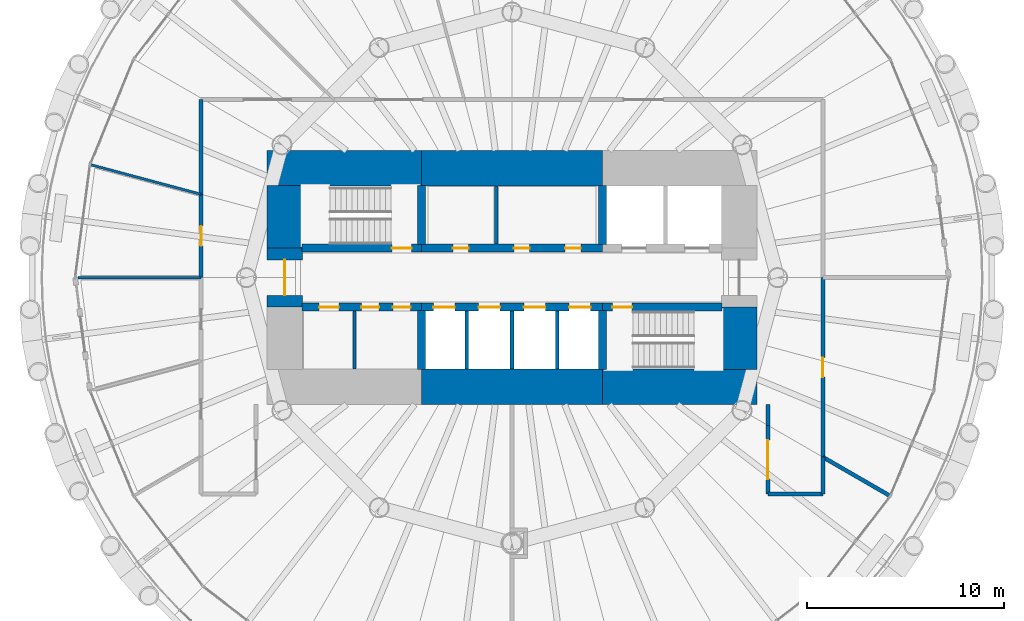
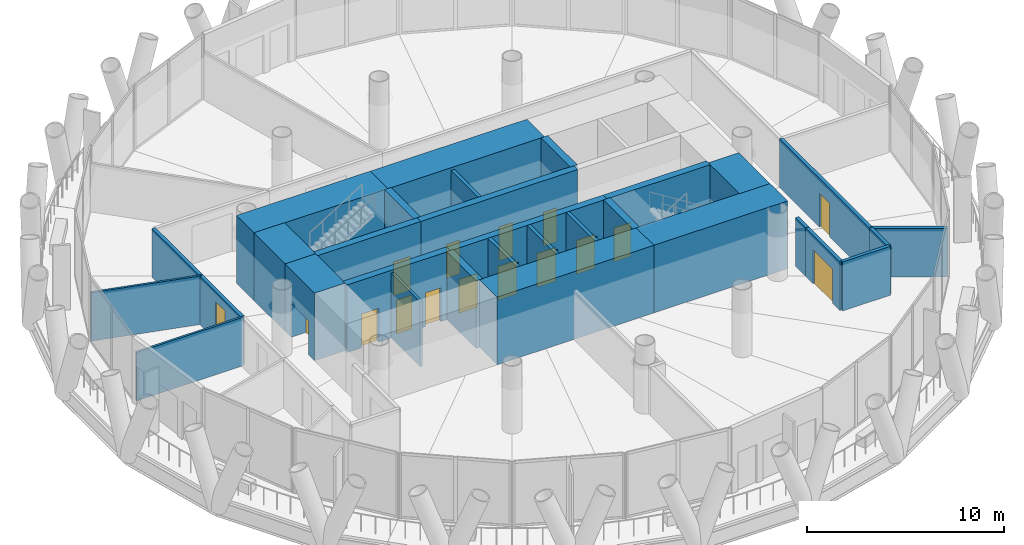
# One storey, part 9 of 14: 31 walls, 16 doors, 16 openings.
"""IFC4 building model written with IfcOpenShell, lengths in metres."""

import ifcopenshell
import ifcopenshell.guid

model = None  # the IFC model being written
_history = None  # IfcOwnerHistory: only IFC2X3 demands one
_inside = {}  # id of a spatial element -> (the spatial element, [elements in it])
_under = {}  # id of a project, library or spatial element -> (it, [spatial elements below it])
_declared = {}  # id of a project -> (the project, [libraries it declares])
_typed = {}  # id of a type object -> (the type object, [elements of that type])
_made_of = {}  # id of a material, layer set ... -> (it, [elements and type objects made of it])


def new_model(schema):
    """Start an empty IFC model of exactly this schema.

    Asked for "IFC4X3", IfcOpenShell would pick the latest addendum, in which some entities
    have other attributes; the version numbers below select the first issue.
    IFC2X3 requires an IfcOwnerHistory on every rooted entity: one is made here for all.
    """
    global model, _history
    if schema == "IFC4X3":
        model = ifcopenshell.file(schema_version=(4, 3, 0, 0))
    else:
        model = ifcopenshell.file(schema=schema)
    _inside.clear()
    _under.clear()
    _declared.clear()
    _typed.clear()
    _made_of.clear()
    _history = None
    if model.schema == "IFC2X3":
        org = make("IfcOrganization", Name="unknown")
        user = make(
            "IfcPersonAndOrganization",
            ThePerson=make("IfcPerson", FamilyName="unknown"),
            TheOrganization=org,
        )
        app = make(
            "IfcApplication",
            ApplicationDeveloper=org,
            Version="unknown",
            ApplicationFullName="unknown",
            ApplicationIdentifier="unknown",
        )
        _history = make(
            "IfcOwnerHistory",
            OwningUser=user,
            OwningApplication=app,
            ChangeAction="ADDED",
            CreationDate=0,
        )
    return model


def make(cls, **values):
    """One entity of the class cls with the attributes given. An attribute that is None is left unset."""
    return model.create_entity(
        cls, **{name: value for name, value in values.items() if value is not None}
    )


def rooted(cls, **values):
    """An entity with a GlobalId (a new one), such as an element, a storey or a relation."""
    return make(cls, GlobalId=ifcopenshell.guid.new(), OwnerHistory=_history, **values)


def si_unit(unit_type, name, prefix=None):
    """IfcSIUnit, for example si_unit("LENGTHUNIT", "METRE", prefix="MILLI")."""
    return make("IfcSIUnit", UnitType=unit_type, Prefix=prefix, Name=name)


def assignment(units):
    """IfcUnitAssignment: the units of a project."""
    return None if units is None else make("IfcUnitAssignment", Units=units)


def point(xyz):
    """IfcCartesianPoint."""
    return None if xyz is None else make("IfcCartesianPoint", Coordinates=xyz)


def direction(xyz):
    """IfcDirection."""
    return None if xyz is None else make("IfcDirection", DirectionRatios=xyz)


def frame(location, z_axis=None, x_axis=None):
    """IfcAxis2Placement3D, a coordinate frame: its origin and axes. An axis left out is left unset."""
    return make(
        "IfcAxis2Placement3D",
        Location=point(location),
        Axis=direction(z_axis),
        RefDirection=direction(x_axis),
    )


def frame_2d(location, x_axis=None):
    """IfcAxis2Placement2D, a coordinate frame in the plane: its origin and x axis."""
    return make(
        "IfcAxis2Placement2D", Location=point(location), RefDirection=direction(x_axis)
    )


def origin():
    """The frame at (0, 0, 0) with its axes left unset."""
    return frame((0.0, 0.0, 0.0))


def place(relative_to, where):
    """IfcLocalPlacement: puts the frame where relative to a parent placement (None: the world)."""
    return make(
        "IfcLocalPlacement", PlacementRelTo=relative_to, RelativePlacement=where
    )


def context(
    kind, dimensions, precision=None, world=None, true_north=None, identifier=None
):
    """IfcGeometricRepresentationContext, for example the 3D "Model" context."""
    return make(
        "IfcGeometricRepresentationContext",
        ContextIdentifier=identifier,
        ContextType=kind,
        CoordinateSpaceDimension=dimensions,
        Precision=precision,
        WorldCoordinateSystem=world,
        TrueNorth=true_north,
    )


def subcontext(parent, identifier, kind, view, scale=None):
    """IfcGeometricRepresentationSubContext, for example "Body" below "Model"."""
    return make(
        "IfcGeometricRepresentationSubContext",
        ContextIdentifier=identifier,
        ContextType=kind,
        ParentContext=parent,
        TargetScale=scale,
        TargetView=view,
    )


def project(units=None, contexts=None):
    """IfcProject with its units and contexts."""
    return rooted(
        "IfcProject",
        Name="project",
        RepresentationContexts=contexts,
        UnitsInContext=assignment(units),
    )


def spatial(cls, under=None, at=None, **own):
    """A site, building, storey or space (cls), placed at a placement, below another one or the project."""
    s = rooted(cls, ObjectPlacement=at, **own)
    if under is not None:
        _under.setdefault(under.id(), (under, []))[1].append(s)
    return s


def profile(cls, at=None, kind="AREA", **sizes):
    """A parametric profile (cls). Its sizes go by their IFC names, for example OverallWidth=200.0."""
    return make(cls, ProfileType=kind, Position=at, **sizes)


def rectangle(**sizes):
    """IfcRectangleProfileDef."""
    return profile("IfcRectangleProfileDef", **sizes)


def extrude(swept, where, along, depth):
    """IfcExtrudedAreaSolid: the profile swept, set in the frame where, extruded along a direction by depth."""
    return make(
        "IfcExtrudedAreaSolid",
        SweptArea=swept,
        Position=where,
        ExtrudedDirection=direction(along),
        Depth=depth,
    )


def shape(context_of_items, identifier, shape_type, items):
    """IfcShapeRepresentation: the items that make up one representation, for example the "Body"."""
    return make(
        "IfcShapeRepresentation",
        ContextOfItems=context_of_items,
        RepresentationIdentifier=identifier,
        RepresentationType=shape_type,
        Items=items,
    )


def material(Name=None, Category=None):
    """IfcMaterial."""
    return make("IfcMaterial", Name=Name, Category=Category)


def layer(
    of_material, thickness, ventilated=None, Name=None, Category=None, Priority=None
):
    """IfcMaterialLayer: one layer of a wall or slab, of a material (None: an air gap)."""
    return make(
        "IfcMaterialLayer",
        Material=of_material,
        LayerThickness=thickness,
        IsVentilated=ventilated,
        Name=Name,
        Category=Category,
        Priority=Priority,
    )


def layer_set(layers, Name=None):
    """IfcMaterialLayerSet."""
    return make("IfcMaterialLayerSet", MaterialLayers=layers, LayerSetName=Name)


def made_of(thing, what):
    """Note that an element or type object is made of a material, layer set ...; save() writes the relation."""
    if what is not None:
        _made_of.setdefault(what.id(), (what, []))[1].append(thing)
    return thing


def type_object(cls, material=None, **own):
    """A type object (cls), such as IfcWallType, which elements share."""
    return made_of(rooted(cls, **own), material)


def element(
    cls,
    number,
    at=None,
    inside=None,
    cuts=None,
    type_object=None,
    material=None,
    context=None,
    identifier="Body",
    shape_type=None,
    held_by="IfcProductDefinitionShape",
    body=None,
    shapes=None,
    **own,
):
    """One element of the class cls, such as IfcWall. Its Tag is "e" and its number.

    at: its placement. inside: the storey or other place that contains it. cuts: it is an
    opening in that element (IfcRelVoidsElement). A single representation is given by context,
    identifier, shape_type and body (its items); several are given by shapes. held_by: the class
    of the entity that holds the representations. save() writes the other relations.
    """
    e = rooted(cls, Tag="e%d" % number, ObjectPlacement=at, **own)
    if body is not None:
        shapes = [shape(context, identifier, shape_type, body)]
    if shapes is not None:
        e.Representation = make(held_by, Representations=shapes)
    if inside is not None:
        _inside.setdefault(inside.id(), (inside, []))[1].append(e)
    if cuts is not None:
        rooted(
            "IfcRelVoidsElement", RelatingBuildingElement=cuts, RelatedOpeningElement=e
        )
    if type_object is not None:
        _typed.setdefault(type_object.id(), (type_object, []))[1].append(e)
    return made_of(e, material)


def fill(opening, filler):
    """IfcRelFillsElement: the door or window that sits in an opening."""
    return rooted(
        "IfcRelFillsElement",
        RelatingOpeningElement=opening,
        RelatedBuildingElement=filler,
    )


def aggregate(whole, parts):
    """IfcRelAggregates: a whole, such as a stair, and the parts it consists of."""
    return rooted("IfcRelAggregates", RelatingObject=whole, RelatedObjects=parts)


def save(model, path):
    """Write the relations noted so far, then the file.

    IfcRelAggregates (storeys below a building ...), IfcRelContainedInSpatialStructure (elements
    in a storey), IfcRelDefinesByType, IfcRelAssociatesMaterial and IfcRelDeclares: one each for
    every whole, place, type object, material and project.
    """
    for whole, parts in _under.values():
        aggregate(whole, parts)
    for where, things in _inside.values():
        rooted(
            "IfcRelContainedInSpatialStructure",
            RelatedElements=things,
            RelatingStructure=where,
        )
    for kind, things in _typed.values():
        rooted("IfcRelDefinesByType", RelatedObjects=things, RelatingType=kind)
    for what, things in _made_of.values():
        rooted("IfcRelAssociatesMaterial", RelatedObjects=things, RelatingMaterial=what)
    for by, libraries in _declared.values():
        rooted("IfcRelDeclares", RelatingContext=by, RelatedDefinitions=libraries)
    model.write(path)


model = new_model("IFC4")

# Units and contexts
model_context = context("Model", 3, precision=1e-05, world=origin(), true_north=direction((0.0, 1.0)))
body_context = subcontext(model_context, "Body", "Model", "MODEL_VIEW")
ifc_project = project(units=[si_unit("LENGTHUNIT", "METRE"), si_unit("AREAUNIT", "SQUARE_METRE"), si_unit("VOLUMEUNIT", "CUBIC_METRE"), si_unit("PLANEANGLEUNIT", "RADIAN"), si_unit("MASSUNIT", "GRAM", prefix="KILO")], contexts=[model_context])

# Site, building, storey
site_placement = place(None, origin())
site = spatial("IfcSite", under=ifc_project, at=site_placement, CompositionType="ELEMENT")
building_placement = place(site_placement, origin())
building = spatial("IfcBuilding", under=site, at=building_placement, Name="Qaws Media Tower", CompositionType="ELEMENT")
storey_placement = place(building_placement, frame((0.0, 0.0, 168.800048828125)))
storey = spatial("IfcBuildingStorey", under=building, at=storey_placement, Name="L38", CompositionType="ELEMENT", Elevation=168.800048828125)

# Wall, opening, door
ifc_material_1 = material(Name="Concrete C60/75", Category="concrete")
ifc_layer_1 = layer(ifc_material_1, 0.39990234375)
ifc_layer_set_1 = layer_set([ifc_layer_1], Name="Core inner wall 400")
wall_type_1 = type_object("IfcWallType", Name="Core inner wall 400", PredefinedType="SHEAR", material=ifc_layer_set_1)
wall_1_placement = place(storey_placement, frame((49.330078125, 51.5, 0.0), z_axis=(0.0, 0.0, 1.0), x_axis=(1.0, 0.0, 0.0)))
wall_1 = element("IfcWall", 1, at=wall_1_placement, inside=storey, type_object=wall_type_1, Name="W321 SW4 core wall SPNW L38", PredefinedType="SHEAR", context=body_context, shape_type="SweptSolid", body=[
    extrude(rectangle(XDim=6.06982421875, YDim=0.39990234375, at=frame_2d((3.034912109375, 0.0))), origin(), (0.0, 0.0, 1.0), 4.199951171875),
])
opening_1_placement = place(wall_1_placement, frame((4.570068359375, 0.0, 0.0)))
opening_1 = element("IfcOpeningElement", 2, at=opening_1_placement, cuts=wall_1, Name="Opening D1", PredefinedType="OPENING", context=body_context, shape_type="SweptSolid", body=[
    extrude(rectangle(XDim=1.0, YDim=2.10009765625, at=frame_2d((0.5, 1.050048828125))), frame((0.0, 0.2099609375, 0.0), z_axis=(0.0, -1.0, 0.0), x_axis=(1.0, 0.0, 0.0)), (0.0, 0.0, 1.0), 0.419921875),
])
ifc_material_2 = material(Name="Steel, fire rated", Category="steel")
door_type_1 = type_object("IfcDoorType", Name="Stair door 1000 FD120", OperationType="SINGLE_SWING_LEFT", PredefinedType="DOOR", material=ifc_material_2)
door_1_placement = place(opening_1_placement, origin())
door_1 = element("IfcDoor", 3, at=door_1_placement, inside=storey, type_object=door_type_1, Name="D1 stair S1 door L38 in wall W321", OperationType="SINGLE_SWING_LEFT", OverallHeight=2.10009765625, OverallWidth=1.0, PredefinedType="DOOR", context=body_context, shape_type="SweptSolid", body=[
    extrude(rectangle(XDim=1.0, YDim=2.10009765625, at=frame_2d((0.5, 1.050048828125))), frame((0.0, 0.02490234375, 0.0), z_axis=(0.0, -1.0, 0.0), x_axis=(1.0, 0.0, 0.0)), (0.0, 0.0, 1.0), 0.050048828125),
])
fill(opening_1, door_1)

# Wall, openings, doors
wall_2_placement = place(storey_placement, frame((55.39990234375, 51.5, 0.0), z_axis=(0.0, 0.0, 1.0), x_axis=(1.0, 0.0, 0.0)))
wall_2 = element("IfcWall", 4, at=wall_2_placement, inside=storey, type_object=wall_type_1, Name="W314 SW4 core wall SPN L38", PredefinedType="SHEAR", context=body_context, shape_type="SweptSolid", body=[
    extrude(rectangle(XDim=9.2001953125, YDim=0.39990234375, at=frame_2d((4.60009765625, 0.0))), origin(), (0.0, 0.0, 1.0), 4.199951171875),
])
opening_2_placement = place(wall_2_placement, frame((1.60009765625, 0.0, 0.0)))
opening_2 = element("IfcOpeningElement", 5, at=opening_2_placement, cuts=wall_2, Name="Opening D23", PredefinedType="OPENING", context=body_context, shape_type="SweptSolid", body=[
    extrude(rectangle(XDim=0.800048828125, YDim=2.10009765625, at=frame_2d((0.39990234375, 1.050048828125))), frame((0.0, 0.2099609375, 0.0), z_axis=(0.0, -1.0, 0.0), x_axis=(1.0, 0.0, 0.0)), (0.0, 0.0, 1.0), 0.419921875),
])
opening_3_placement = place(wall_2_placement, frame((4.699951171875, 0.0, 0.0)))
opening_3 = element("IfcOpeningElement", 6, at=opening_3_placement, cuts=wall_2, Name="Opening D23", PredefinedType="OPENING", context=body_context, shape_type="SweptSolid", body=[
    extrude(rectangle(XDim=0.800048828125, YDim=2.10009765625, at=frame_2d((0.39990234375, 1.050048828125))), frame((0.0, 0.2099609375, 0.0), z_axis=(0.0, -1.0, 0.0), x_axis=(1.0, 0.0, 0.0)), (0.0, 0.0, 1.0), 0.419921875),
])
opening_4_placement = place(wall_2_placement, frame((7.300048828125, 0.0, 0.0)))
opening_4 = element("IfcOpeningElement", 7, at=opening_4_placement, cuts=wall_2, Name="Opening D23", PredefinedType="OPENING", context=body_context, shape_type="SweptSolid", body=[
    extrude(rectangle(XDim=0.800048828125, YDim=2.10009765625, at=frame_2d((0.39990234375, 1.050048828125))), frame((0.0, 0.2099609375, 0.0), z_axis=(0.0, -1.0, 0.0), x_axis=(1.0, 0.0, 0.0)), (0.0, 0.0, 1.0), 0.419921875),
])
ifc_material_3 = material(Name="Steel, fire rated", Category="steel")
door_type_2 = type_object("IfcDoorType", Name="Core room door 800x2100", OperationType="SINGLE_SWING_LEFT", PredefinedType="DOOR", material=ifc_material_3)
door_2_placement = place(opening_2_placement, origin())
door_2 = element("IfcDoor", 8, at=door_2_placement, inside=storey, type_object=door_type_2, Name="D23 Ladies toilets door L38 in wall W314", OperationType="SINGLE_SWING_LEFT", OverallHeight=2.10009765625, OverallWidth=0.800048828125, PredefinedType="DOOR", context=body_context, shape_type="SweptSolid", body=[
    extrude(rectangle(XDim=0.800048828125, YDim=2.10009765625, at=frame_2d((0.39990234375, 1.050048828125))), frame((0.0, 0.02490234375, 0.0), z_axis=(0.0, -1.0, 0.0), x_axis=(1.0, 0.0, 0.0)), (0.0, 0.0, 1.0), 0.050048828125),
])
fill(opening_2, door_2)
door_3_placement = place(opening_3_placement, origin())
door_3 = element("IfcDoor", 9, at=door_3_placement, inside=storey, type_object=door_type_2, Name="D23 Gents toilets door L38 2 in wall W314", OperationType="SINGLE_SWING_LEFT", OverallHeight=2.10009765625, OverallWidth=0.800048828125, PredefinedType="DOOR", context=body_context, shape_type="SweptSolid", body=[
    extrude(rectangle(XDim=0.800048828125, YDim=2.10009765625, at=frame_2d((0.39990234375, 1.050048828125))), frame((0.0, 0.02490234375, 0.0), z_axis=(0.0, -1.0, 0.0), x_axis=(1.0, 0.0, 0.0)), (0.0, 0.0, 1.0), 0.050048828125),
])
fill(opening_3, door_3)
door_4_placement = place(opening_4_placement, origin())
door_4 = element("IfcDoor", 10, at=door_4_placement, inside=storey, type_object=door_type_2, Name="D23 Gents toilets door L38 3 in wall W314", OperationType="SINGLE_SWING_LEFT", OverallHeight=2.10009765625, OverallWidth=0.800048828125, PredefinedType="DOOR", context=body_context, shape_type="SweptSolid", body=[
    extrude(rectangle(XDim=0.800048828125, YDim=2.10009765625, at=frame_2d((0.39990234375, 1.050048828125))), frame((0.0, 0.02490234375, 0.0), z_axis=(0.0, -1.0, 0.0), x_axis=(1.0, 0.0, 0.0)), (0.0, 0.0, 1.0), 0.050048828125),
])
fill(opening_4, door_4)

wall_3_placement = place(storey_placement, frame((49.330078125, 48.5, 0.0), z_axis=(0.0, 0.0, 1.0), x_axis=(1.0, 0.0, 0.0)))
wall_3 = element("IfcWall", 11, at=wall_3_placement, inside=storey, type_object=wall_type_1, Name="W320 SW4 core wall SPSW L38", PredefinedType="SHEAR", context=body_context, shape_type="SweptSolid", body=[
    extrude(rectangle(XDim=6.06982421875, YDim=0.39990234375, at=frame_2d((3.034912109375, 0.0))), origin(), (0.0, 0.0, 1.0), 4.199951171875),
])
opening_5_placement = place(wall_3_placement, frame((0.8701171875, 0.0, 0.0)))
opening_5 = element("IfcOpeningElement", 12, at=opening_5_placement, cuts=wall_3, Name="Opening D4", PredefinedType="OPENING", context=body_context, shape_type="SweptSolid", body=[
    extrude(rectangle(XDim=1.0, YDim=2.10009765625, at=frame_2d((0.5, 1.050048828125))), frame((0.0, 0.2099609375, 0.0), z_axis=(0.0, -1.0, 0.0), x_axis=(1.0, 0.0, 0.0)), (0.0, 0.0, 1.0), 0.419921875),
])
opening_6_placement = place(wall_3_placement, frame((3.02001953125, 0.0, 0.0)))
opening_6 = element("IfcOpeningElement", 13, at=opening_6_placement, cuts=wall_3, Name="Opening D3", PredefinedType="OPENING", context=body_context, shape_type="SweptSolid", body=[
    extrude(rectangle(XDim=0.89990234375, YDim=2.10009765625, at=frame_2d((0.449951171875, 1.050048828125))), frame((0.0, 0.2099609375, 0.0), z_axis=(0.0, -1.0, 0.0), x_axis=(1.0, 0.0, 0.0)), (0.0, 0.0, 1.0), 0.419921875),
])
opening_7_placement = place(wall_3_placement, frame((4.6201171875, 0.0, 0.0)))
opening_7 = element("IfcOpeningElement", 14, at=opening_7_placement, cuts=wall_3, Name="Opening D3", PredefinedType="OPENING", context=body_context, shape_type="SweptSolid", body=[
    extrude(rectangle(XDim=0.89990234375, YDim=2.10009765625, at=frame_2d((0.449951171875, 1.050048828125))), frame((0.0, 0.2099609375, 0.0), z_axis=(0.0, -1.0, 0.0), x_axis=(1.0, 0.0, 0.0)), (0.0, 0.0, 1.0), 0.419921875),
])
ifc_material_4 = material(Name="Timber veneered", Category="wood")
door_type_3 = type_object("IfcDoorType", Name="Accessible WC door 1000", OperationType="SLIDING_TO_LEFT", PredefinedType="DOOR", material=ifc_material_4)
door_5_placement = place(opening_5_placement, origin())
door_5 = element("IfcDoor", 15, at=door_5_placement, inside=storey, type_object=door_type_3, Name="D4 toilet door 1 L38 in wall W320", OperationType="SLIDING_TO_LEFT", OverallHeight=2.10009765625, OverallWidth=1.0, PredefinedType="DOOR", context=body_context, shape_type="SweptSolid", body=[
    extrude(rectangle(XDim=1.0, YDim=2.10009765625, at=frame_2d((0.5, 1.050048828125))), frame((0.0, 0.02490234375, 0.0), z_axis=(0.0, -1.0, 0.0), x_axis=(1.0, 0.0, 0.0)), (0.0, 0.0, 1.0), 0.050048828125),
])
fill(opening_5, door_5)
ifc_material_5 = material(Name="Timber veneered", Category="wood")
door_type_4 = type_object("IfcDoorType", Name="Toilet door 900", OperationType="SINGLE_SWING_RIGHT", PredefinedType="DOOR", material=ifc_material_5)
door_6_placement = place(opening_6_placement, origin())
door_6 = element("IfcDoor", 16, at=door_6_placement, inside=storey, type_object=door_type_4, Name="D3 toilet door 2 L38 in wall W320", OperationType="SINGLE_SWING_RIGHT", OverallHeight=2.10009765625, OverallWidth=0.89990234375, PredefinedType="DOOR", context=body_context, shape_type="SweptSolid", body=[
    extrude(rectangle(XDim=0.89990234375, YDim=2.10009765625, at=frame_2d((0.449951171875, 1.050048828125))), frame((0.0, 0.02490234375, 0.0), z_axis=(0.0, -1.0, 0.0), x_axis=(1.0, 0.0, 0.0)), (0.0, 0.0, 1.0), 0.050048828125),
])
fill(opening_6, door_6)
door_7_placement = place(opening_7_placement, origin())
door_7 = element("IfcDoor", 17, at=door_7_placement, inside=storey, type_object=door_type_4, Name="D3 toilet door 3 L38 in wall W320", OperationType="SINGLE_SWING_RIGHT", OverallHeight=2.10009765625, OverallWidth=0.89990234375, PredefinedType="DOOR", context=body_context, shape_type="SweptSolid", body=[
    extrude(rectangle(XDim=0.89990234375, YDim=2.10009765625, at=frame_2d((0.449951171875, 1.050048828125))), frame((0.0, 0.02490234375, 0.0), z_axis=(0.0, -1.0, 0.0), x_axis=(1.0, 0.0, 0.0)), (0.0, 0.0, 1.0), 0.050048828125),
])
fill(opening_7, door_7)

wall_4_placement = place(storey_placement, frame((55.39990234375, 48.5, 0.0), z_axis=(0.0, 0.0, 1.0), x_axis=(1.0, 0.0, 0.0)))
wall_4 = element("IfcWall", 18, at=wall_4_placement, inside=storey, type_object=wall_type_1, Name="W313 SW4 core wall SPS L38", PredefinedType="SHEAR", context=body_context, shape_type="SweptSolid", body=[
    extrude(rectangle(XDim=9.2001953125, YDim=0.39990234375, at=frame_2d((4.60009765625, 0.0))), origin(), (0.0, 0.0, 1.0), 4.199951171875),
])
opening_8_placement = place(wall_4_placement, frame((0.60009765625, 0.0, 0.0)))
opening_8 = element("IfcOpeningElement", 19, at=opening_8_placement, cuts=wall_4, Name="Opening LD", PredefinedType="OPENING", context=body_context, shape_type="SweptSolid", body=[
    extrude(rectangle(XDim=1.10009765625, YDim=2.10009765625, at=frame_2d((0.550048828125, 1.050048828125))), frame((0.0, 0.2099609375, 0.0), z_axis=(0.0, -1.0, 0.0), x_axis=(1.0, 0.0, 0.0)), (0.0, 0.0, 1.0), 0.419921875),
])
opening_9_placement = place(wall_4_placement, frame((2.89990234375, 0.0, 0.0)))
opening_9 = element("IfcOpeningElement", 20, at=opening_9_placement, cuts=wall_4, Name="Opening LD", PredefinedType="OPENING", context=body_context, shape_type="SweptSolid", body=[
    extrude(rectangle(XDim=1.10009765625, YDim=2.10009765625, at=frame_2d((0.550048828125, 1.050048828125))), frame((0.0, 0.2099609375, 0.0), z_axis=(0.0, -1.0, 0.0), x_axis=(1.0, 0.0, 0.0)), (0.0, 0.0, 1.0), 0.419921875),
])
opening_10_placement = place(wall_4_placement, frame((5.199951171875, 0.0, 0.0)))
opening_10 = element("IfcOpeningElement", 21, at=opening_10_placement, cuts=wall_4, Name="Opening LD", PredefinedType="OPENING", context=body_context, shape_type="SweptSolid", body=[
    extrude(rectangle(XDim=1.10009765625, YDim=2.10009765625, at=frame_2d((0.550048828125, 1.050048828125))), frame((0.0, 0.2099609375, 0.0), z_axis=(0.0, -1.0, 0.0), x_axis=(1.0, 0.0, 0.0)), (0.0, 0.0, 1.0), 0.419921875),
])
opening_11_placement = place(wall_4_placement, frame((7.5, 0.0, 0.0)))
opening_11 = element("IfcOpeningElement", 22, at=opening_11_placement, cuts=wall_4, Name="Opening LD", PredefinedType="OPENING", context=body_context, shape_type="SweptSolid", body=[
    extrude(rectangle(XDim=1.10009765625, YDim=2.10009765625, at=frame_2d((0.550048828125, 1.050048828125))), frame((0.0, 0.2099609375, 0.0), z_axis=(0.0, -1.0, 0.0), x_axis=(1.0, 0.0, 0.0)), (0.0, 0.0, 1.0), 0.419921875),
])
ifc_material_6 = material(Name="Steel, fire rated", Category="steel")
door_type_5 = type_object("IfcDoorType", Name="Lift landing door 1100", OperationType="SLIDING_TO_LEFT", PredefinedType="DOOR", material=ifc_material_6)
door_8_placement = place(opening_8_placement, origin())
door_8 = element("IfcDoor", 23, at=door_8_placement, inside=storey, type_object=door_type_5, Name="P5 landing door L38 in wall W313", OperationType="SLIDING_TO_LEFT", OverallHeight=2.10009765625, OverallWidth=1.10009765625, PredefinedType="DOOR", context=body_context, shape_type="SweptSolid", body=[
    extrude(rectangle(XDim=1.10009765625, YDim=2.10009765625, at=frame_2d((0.550048828125, 1.050048828125))), frame((0.0, 0.02490234375, 0.0), z_axis=(0.0, -1.0, 0.0), x_axis=(1.0, 0.0, 0.0)), (0.0, 0.0, 1.0), 0.050048828125),
])
fill(opening_8, door_8)
door_9_placement = place(opening_9_placement, origin())
door_9 = element("IfcDoor", 24, at=door_9_placement, inside=storey, type_object=door_type_5, Name="P6 landing door L38 in wall W313", OperationType="SLIDING_TO_LEFT", OverallHeight=2.10009765625, OverallWidth=1.10009765625, PredefinedType="DOOR", context=body_context, shape_type="SweptSolid", body=[
    extrude(rectangle(XDim=1.10009765625, YDim=2.10009765625, at=frame_2d((0.550048828125, 1.050048828125))), frame((0.0, 0.02490234375, 0.0), z_axis=(0.0, -1.0, 0.0), x_axis=(1.0, 0.0, 0.0)), (0.0, 0.0, 1.0), 0.050048828125),
])
fill(opening_9, door_9)
door_10_placement = place(opening_10_placement, origin())
door_10 = element("IfcDoor", 25, at=door_10_placement, inside=storey, type_object=door_type_5, Name="P7 landing door L38 in wall W313", OperationType="SLIDING_TO_LEFT", OverallHeight=2.10009765625, OverallWidth=1.10009765625, PredefinedType="DOOR", context=body_context, shape_type="SweptSolid", body=[
    extrude(rectangle(XDim=1.10009765625, YDim=2.10009765625, at=frame_2d((0.550048828125, 1.050048828125))), frame((0.0, 0.02490234375, 0.0), z_axis=(0.0, -1.0, 0.0), x_axis=(1.0, 0.0, 0.0)), (0.0, 0.0, 1.0), 0.050048828125),
])
fill(opening_10, door_10)
door_11_placement = place(opening_11_placement, origin())
door_11 = element("IfcDoor", 26, at=door_11_placement, inside=storey, type_object=door_type_5, Name="P8 landing door L38 in wall W313", OperationType="SLIDING_TO_LEFT", OverallHeight=2.10009765625, OverallWidth=1.10009765625, PredefinedType="DOOR", context=body_context, shape_type="SweptSolid", body=[
    extrude(rectangle(XDim=1.10009765625, YDim=2.10009765625, at=frame_2d((0.550048828125, 1.050048828125))), frame((0.0, 0.02490234375, 0.0), z_axis=(0.0, -1.0, 0.0), x_axis=(1.0, 0.0, 0.0)), (0.0, 0.0, 1.0), 0.050048828125),
])
fill(opening_11, door_11)

# Wall, opening, door
wall_5_placement = place(storey_placement, frame((64.60009765625, 48.5, 0.0), z_axis=(0.0, 0.0, 1.0), x_axis=(1.0, 0.0, 0.0)))
wall_5 = element("IfcWall", 27, at=wall_5_placement, inside=storey, type_object=wall_type_1, Name="W325 SW4 core wall SPSE L38", PredefinedType="SHEAR", context=body_context, shape_type="SweptSolid", body=[
    extrude(rectangle(XDim=6.06982421875, YDim=0.39990234375, at=frame_2d((3.034912109375, 0.0))), origin(), (0.0, 0.0, 1.0), 4.199951171875),
])
opening_12_placement = place(wall_5_placement, frame((0.5, 0.0, 0.0)))
opening_12 = element("IfcOpeningElement", 28, at=opening_12_placement, cuts=wall_5, Name="Opening D1", PredefinedType="OPENING", context=body_context, shape_type="SweptSolid", body=[
    extrude(rectangle(XDim=1.0, YDim=2.10009765625, at=frame_2d((0.5, 1.050048828125))), frame((0.0, 0.2099609375, 0.0), z_axis=(0.0, -1.0, 0.0), x_axis=(1.0, 0.0, 0.0)), (0.0, 0.0, 1.0), 0.419921875),
])
door_12_placement = place(opening_12_placement, origin())
door_12 = element("IfcDoor", 29, at=door_12_placement, inside=storey, type_object=door_type_1, Name="D1 stair S2 door L38 in wall W325", OperationType="SINGLE_SWING_LEFT", OverallHeight=2.10009765625, OverallWidth=1.0, PredefinedType="DOOR", context=body_context, shape_type="SweptSolid", body=[
    extrude(rectangle(XDim=1.0, YDim=2.10009765625, at=frame_2d((0.5, 1.050048828125))), frame((0.0, 0.02490234375, 0.0), z_axis=(0.0, -1.0, 0.0), x_axis=(1.0, 0.0, 0.0)), (0.0, 0.0, 1.0), 0.050048828125),
])
fill(opening_12, door_12)

# Walls
for number, where, z_axis, x_axis, name in (
    (30, (55.39990234375, 51.679931640625, 0.0), (0.0, 0.0, 1.0), (0.0, 1.0, 0.0), "W323 SW4 core wall XNW L38"),
    (31, (64.60009765625, 51.679931640625, 0.0), (0.0, 0.0, 1.0), (0.0, 1.0, 0.0), "W327 SW4 core wall XNE L38"),
    (32, (55.39990234375, 48.320068359375, 0.0), (0.0, 0.0, 1.0), (0.0, -1.0, 0.0), "W322 SW4 core wall XSW L38"),
    (33, (64.60009765625, 48.320068359375, 0.0), (0.0, 0.0, 1.0), (0.0, -1.0, 0.0), "W324 SW4 core wall XSE L38"),
):
    element("IfcWall", number, at=place(storey_placement, frame(where, z_axis=z_axis, x_axis=x_axis)), inside=storey, type_object=wall_type_1, Name=name, PredefinedType="SHEAR", context=body_context, shape_type="SweptSolid", body=[
        extrude(rectangle(XDim=2.989990234375, YDim=0.39990234375, at=frame_2d((1.4951171875, 0.0))), origin(), (0.0, 0.0, 1.0), 4.199951171875),
    ])
ifc_material_7 = material(Name="Concrete C60/75", Category="concrete")
ifc_layer_2 = layer(ifc_material_7, 1.800048828125)
ifc_layer_set_2 = layer_set([ifc_layer_2], Name="Core wall 1800")
wall_type_2 = type_object("IfcWallType", Name="Core wall 1800", PredefinedType="SHEAR", material=ifc_layer_set_2)
wall_6_placement = place(storey_placement, frame((47.550048828125, 55.550048828125, 0.0), z_axis=(0.0, 0.0, 1.0), x_axis=(1.0, 0.0, 0.0)))
element("IfcWall", 34, at=wall_6_placement, inside=storey, type_object=wall_type_2, Name="W417 SW11 core wall NW L38", PredefinedType="SHEAR", context=body_context, shape_type="SweptSolid", body=[
    extrude(rectangle(XDim=7.849853515625, YDim=1.800048828125, at=frame_2d((3.9248046875, 0.0))), origin(), (0.0, 0.0, 1.0), 4.199951171875),
])
for number, where, z_axis, x_axis, name in (
    (35, (55.39990234375, 55.550048828125, 0.0), (0.0, 0.0, 1.0), (1.0, 0.0, 0.0), "W421 SW11 core wall N L38"),
    (36, (55.39990234375, 44.449951171875, 0.0), (0.0, 0.0, 1.0), (1.0, 0.0, 0.0), "W420 SW11 core wall S L38"),
):
    element("IfcWall", number, at=place(storey_placement, frame(where, z_axis=z_axis, x_axis=x_axis)), inside=storey, type_object=wall_type_2, Name=name, PredefinedType="SHEAR", context=body_context, shape_type="SweptSolid", body=[
        extrude(rectangle(XDim=9.2001953125, YDim=1.800048828125, at=frame_2d((4.60009765625, 0.0))), origin(), (0.0, 0.0, 1.0), 4.199951171875),
    ])
wall_7_placement = place(storey_placement, frame((64.60009765625, 44.449951171875, 0.0), z_axis=(0.0, 0.0, 1.0), x_axis=(1.0, 0.0, 0.0)))
element("IfcWall", 37, at=wall_7_placement, inside=storey, type_object=wall_type_2, Name="W422 SW11 core wall SE L38", PredefinedType="SHEAR", context=body_context, shape_type="SweptSolid", body=[
    extrude(rectangle(XDim=7.849853515625, YDim=1.800048828125, at=frame_2d((3.9248046875, 0.0))), origin(), (0.0, 0.0, 1.0), 4.199951171875),
])
wall_8_placement = place(storey_placement, frame((71.550048828125, 45.330078125, 0.0), z_axis=(0.0, 0.0, 1.0), x_axis=(0.0, 1.0, 0.0)))
element("IfcWall", 38, at=wall_8_placement, inside=storey, type_object=wall_type_2, Name="W424 SW11 core wall ES L38", PredefinedType="SHEAR", context=body_context, shape_type="SweptSolid", body=[
    extrude(rectangle(XDim=3.169921875, YDim=1.800048828125, at=frame_2d((1.5849609375, 0.0))), origin(), (0.0, 0.0, 1.0), 4.199951171875),
])

# Wall, opening, door
wall_9_placement = place(storey_placement, frame((48.449951171875, 48.5, 0.0), z_axis=(0.0, 0.0, 1.0), x_axis=(0.0, 1.0, 0.0)))
wall_9 = element("IfcWall", 39, at=wall_9_placement, inside=storey, type_object=wall_type_2, Name="W426 SW11 core wall W L38", PredefinedType="SHEAR", context=body_context, shape_type="SweptSolid", body=[
    extrude(rectangle(XDim=3.0, YDim=1.800048828125, at=frame_2d((1.5, 0.0))), origin(), (0.0, 0.0, 1.0), 4.199951171875),
])
opening_13_placement = place(wall_9_placement, frame((0.60009765625, 0.0, 0.0)))
opening_13 = element("IfcOpeningElement", 40, at=opening_13_placement, cuts=wall_9, Name="Opening D2", PredefinedType="OPENING", context=body_context, shape_type="SweptSolid", body=[
    extrude(rectangle(XDim=1.800048828125, YDim=2.10009765625, at=frame_2d((0.89990234375, 1.050048828125))), frame((0.0, 0.909912109375, 0.0), z_axis=(0.0, -1.0, 0.0), x_axis=(1.0, 0.0, 0.0)), (0.0, 0.0, 1.0), 1.820068359375),
])
ifc_material_8 = material(Name="Steel and glass, fire rated", Category="steel")
door_type_6 = type_object("IfcDoorType", Name="Lobby door pair 1800 FD60", OperationType="DOUBLE_DOOR_DOUBLE_SWING", PredefinedType="DOOR", material=ifc_material_8)
door_13_placement = place(opening_13_placement, origin())
door_13 = element("IfcDoor", 41, at=door_13_placement, inside=storey, type_object=door_type_6, Name="D2 core lobby door W L38 in wall W426", OperationType="DOUBLE_DOOR_DOUBLE_SWING", OverallHeight=2.10009765625, OverallWidth=1.800048828125, PredefinedType="DOOR", context=body_context, shape_type="SweptSolid", body=[
    extrude(rectangle(XDim=1.800048828125, YDim=2.10009765625, at=frame_2d((0.89990234375, 1.050048828125))), frame((0.0, 0.02490234375, 0.0), z_axis=(0.0, -1.0, 0.0), x_axis=(1.0, 0.0, 0.0)), (0.0, 0.0, 1.0), 0.050048828125),
])
fill(opening_13, door_13)

# Walls
wall_10_placement = place(storey_placement, frame((48.449951171875, 51.5, 0.0), z_axis=(0.0, 0.0, 1.0), x_axis=(0.0, 1.0, 0.0)))
element("IfcWall", 42, at=wall_10_placement, inside=storey, type_object=wall_type_2, Name="W419 SW11 core wall WN L38", PredefinedType="SHEAR", context=body_context, shape_type="SweptSolid", body=[
    extrude(rectangle(XDim=3.169921875, YDim=1.800048828125, at=frame_2d((1.5849609375, 0.0))), origin(), (0.0, 0.0, 1.0), 4.199951171875),
])
ifc_material_9 = material(Name="Two layers gypsum board each side on 75 studs, insulated", Category="gypsum")
ifc_layer_3 = layer(ifc_material_9, 0.125)
ifc_layer_set_3 = layer_set([ifc_layer_3], Name="Meeting room partition 125 Rw 48")
wall_type_3 = type_object("IfcWallType", Name="Meeting room partition 125 Rw 48", PredefinedType="PARTITIONING", material=ifc_layer_set_3)
wall_11_placement = place(storey_placement, frame((44.197509765625, 54.234375, 0.0), z_axis=(0.0, 0.0, 1.0), x_axis=(-0.965932457036, 0.258794297549, 0.0)))
element("IfcWall", 43, at=wall_11_placement, inside=storey, type_object=wall_type_3, Name="W579 IW5 partition L38", PredefinedType="PARTITIONING", context=body_context, shape_type="SweptSolid", body=[
    extrude(rectangle(XDim=5.7998046875, YDim=0.125, at=frame_2d((2.89990234375, 0.0))), origin(), (0.0, 0.0, 1.0), 3.011962890625),
])
wall_12_placement = place(storey_placement, frame((44.199951171875, 50.0, 0.0), z_axis=(0.0, 0.0, 1.0), x_axis=(-1.0, 0.0, 0.0)))
element("IfcWall", 44, at=wall_12_placement, inside=storey, type_object=wall_type_3, Name="W580 IW5 partition L38", PredefinedType="PARTITIONING", context=body_context, shape_type="SweptSolid", body=[
    extrude(rectangle(XDim=6.260009765625, YDim=0.125, at=frame_2d((3.1298828125, 0.0))), origin(), (0.0, 0.0, 1.0), 3.011962890625),
])

# Wall, opening, door
ifc_material_10 = material(Name="Gypsum board on galvanised metal studs, acoustic double stud, deflection head", Category="gypsum")
ifc_layer_4 = layer(ifc_material_10, 0.199951171875)
ifc_layer_set_4 = layer_set([ifc_layer_4], Name="Room partition 200")
wall_type_4 = type_object("IfcWallType", Name="Room partition 200", PredefinedType="PARTITIONING", material=ifc_layer_set_4)
wall_13_placement = place(storey_placement, frame((75.800048828125, 50.0, 0.0), z_axis=(0.0, 0.0, 1.0), x_axis=(0.0, -1.0, 0.0)))
wall_13 = element("IfcWall", 45, at=wall_13_placement, inside=storey, type_object=wall_type_4, Name="W1375 IW3 partition L38", PredefinedType="PARTITIONING", context=body_context, shape_type="SweptSolid", body=[
    extrude(rectangle(XDim=9.1220703125, YDim=0.199951171875, at=frame_2d((4.56103515625, 0.0))), origin(), (0.0, 0.0, 1.0), 3.011962890625),
])
opening_14_placement = place(wall_13_placement, frame((4.06103515625, 0.0, 0.0)))
opening_14 = element("IfcOpeningElement", 46, at=opening_14_placement, cuts=wall_13, Name="Opening D5", PredefinedType="OPENING", context=body_context, shape_type="SweptSolid", body=[
    extrude(rectangle(XDim=1.0, YDim=2.10009765625, at=frame_2d((0.5, 1.050048828125))), frame((0.0, 0.10986328125, 0.0), z_axis=(0.0, -1.0, 0.0), x_axis=(1.0, 0.0, 0.0)), (0.0, 0.0, 1.0), 0.219970703125),
])
ifc_material_11 = material(Name="Timber veneered, acoustic seal", Category="wood")
door_type_7 = type_object("IfcDoorType", Name="Room door 1000", OperationType="SINGLE_SWING_LEFT", PredefinedType="DOOR", material=ifc_material_11)
door_14_placement = place(opening_14_placement, origin())
door_14 = element("IfcDoor", 47, at=door_14_placement, inside=storey, type_object=door_type_7, Name="D5 HR office door L38 in wall W1375", OperationType="SINGLE_SWING_LEFT", OverallHeight=2.10009765625, OverallWidth=1.0, PredefinedType="DOOR", context=body_context, shape_type="SweptSolid", body=[
    extrude(rectangle(XDim=1.0, YDim=2.10009765625, at=frame_2d((0.5, 1.050048828125))), frame((0.0, 0.02490234375, 0.0), z_axis=(0.0, -1.0, 0.0), x_axis=(1.0, 0.0, 0.0)), (0.0, 0.0, 1.0), 0.050048828125),
])
fill(opening_14, door_14)

# Walls
wall_14_placement = place(storey_placement, frame((75.800048828125, 40.8779296875, 0.0), z_axis=(0.0, 0.0, 1.0), x_axis=(0.0, -1.0, 0.0)))
element("IfcWall", 48, at=wall_14_placement, inside=storey, type_object=wall_type_4, Name="W1374 IW3 partition L38", PredefinedType="PARTITIONING", context=body_context, shape_type="SweptSolid", body=[
    extrude(rectangle(XDim=1.8779296875, YDim=0.199951171875, at=frame_2d((0.93896484375, 0.0))), origin(), (0.0, 0.0, 1.0), 3.011962890625),
])
wall_15_placement = place(storey_placement, frame((75.800048828125, 39.0, 0.0), z_axis=(0.0, 0.0, 1.0), x_axis=(-1.0, 0.0, 0.0)))
element("IfcWall", 49, at=wall_15_placement, inside=storey, type_object=wall_type_4, Name="W1231 IW3 partition L38", PredefinedType="PARTITIONING", context=body_context, shape_type="SweptSolid", body=[
    extrude(rectangle(XDim=2.800048828125, YDim=0.199951171875, at=frame_2d((1.39990234375, 0.0))), origin(), (0.0, 0.0, 1.0), 3.0400390625),
])

# Wall, opening, door
wall_16_placement = place(storey_placement, frame((73.0, 39.0, 0.0), z_axis=(0.0, 0.0, 1.0), x_axis=(0.0, 1.0, 0.0)))
wall_16 = element("IfcWall", 50, at=wall_16_placement, inside=storey, type_object=wall_type_4, Name="W1371 IW3 partition L38", PredefinedType="PARTITIONING", context=body_context, shape_type="SweptSolid", body=[
    extrude(rectangle(XDim=3.494384765625, YDim=0.199951171875, at=frame_2d((1.7470703125, 0.0))), origin(), (0.0, 0.0, 1.0), 3.011962890625),
])
opening_15_placement = place(wall_16_placement, frame((0.747314453125, 0.0, 0.0)))
opening_15 = element("IfcOpeningElement", 51, at=opening_15_placement, cuts=wall_16, Name="Opening D6", PredefinedType="OPENING", context=body_context, shape_type="SweptSolid", body=[
    extrude(rectangle(XDim=2.0, YDim=2.10009765625, at=frame_2d((1.0, 1.050048828125))), frame((0.0, 0.10986328125, 0.0), z_axis=(0.0, -1.0, 0.0), x_axis=(1.0, 0.0, 0.0)), (0.0, 0.0, 1.0), 0.219970703125),
])
ifc_material_12 = material(Name="Steel, acoustic, fire rated", Category="steel")
door_type_8 = type_object("IfcDoorType", Name="Room door pair 2000", OperationType="DOUBLE_DOOR_DOUBLE_SWING", PredefinedType="DOOR", material=ifc_material_12)
door_15_placement = place(opening_15_placement, origin())
door_15 = element("IfcDoor", 52, at=door_15_placement, inside=storey, type_object=door_type_8, Name="D6 HR office door L38 in wall W1371", OperationType="DOUBLE_DOOR_DOUBLE_SWING", OverallHeight=2.10009765625, OverallWidth=2.0, PredefinedType="DOOR", context=body_context, shape_type="SweptSolid", body=[
    extrude(rectangle(XDim=2.0, YDim=2.10009765625, at=frame_2d((1.0, 1.050048828125))), frame((0.0, 0.02490234375, 0.0), z_axis=(0.0, -1.0, 0.0), x_axis=(1.0, 0.0, 0.0)), (0.0, 0.0, 1.0), 0.050048828125),
])
fill(opening_15, door_15)

# Wall
wall_17_placement = place(storey_placement, frame((73.0, 42.494384765625, 0.0), z_axis=(0.0, 0.0, 1.0), x_axis=(0.0, 1.0, 0.0)))
element("IfcWall", 53, at=wall_17_placement, inside=storey, type_object=wall_type_4, Name="W1372 IW3 partition L38", PredefinedType="PARTITIONING", context=body_context, shape_type="SweptSolid", body=[
    extrude(rectangle(XDim=1.0556640625, YDim=0.199951171875, at=frame_2d((0.52783203125, 0.0))), origin(), (0.0, 0.0, 1.0), 3.011962890625),
])

# Wall, opening, door
wall_18_placement = place(storey_placement, frame((44.199951171875, 50.0, 0.0), z_axis=(0.0, 0.0, 1.0), x_axis=(0.0, 1.0, 0.0)))
wall_18 = element("IfcWall", 54, at=wall_18_placement, inside=storey, type_object=wall_type_4, Name="W1363 IW3 partition L38", PredefinedType="PARTITIONING", context=body_context, shape_type="SweptSolid", body=[
    extrude(rectangle(XDim=4.233642578125, YDim=0.199951171875, at=frame_2d((2.11669921875, 0.0))), origin(), (0.0, 0.0, 1.0), 3.011962890625),
])
opening_16_placement = place(wall_18_placement, frame((1.61669921875, 0.0, 0.0)))
opening_16 = element("IfcOpeningElement", 55, at=opening_16_placement, cuts=wall_18, Name="Opening D13", PredefinedType="OPENING", context=body_context, shape_type="SweptSolid", body=[
    extrude(rectangle(XDim=1.0, YDim=2.39990234375, at=frame_2d((0.5, 1.199951171875))), frame((0.0, 0.10986328125, 0.0), z_axis=(0.0, -1.0, 0.0), x_axis=(1.0, 0.0, 0.0)), (0.0, 0.0, 1.0), 0.219970703125),
])
ifc_material_13 = material(Name="Frameless toughened glass, acoustic seals", Category="glass")
door_type_9 = type_object("IfcDoorType", Name="Glazed meeting room door 1000x2400", OperationType="SINGLE_SWING_LEFT", PredefinedType="DOOR", material=ifc_material_13)
door_16_placement = place(opening_16_placement, origin())
door_16 = element("IfcDoor", 56, at=door_16_placement, inside=storey, type_object=door_type_9, Name="D13 Interview room door L38 in wall W1363", OperationType="SINGLE_SWING_LEFT", OverallHeight=2.39990234375, OverallWidth=1.0, PredefinedType="DOOR", context=body_context, shape_type="SweptSolid", body=[
    extrude(rectangle(XDim=1.0, YDim=2.39990234375, at=frame_2d((0.5, 1.199951171875))), frame((0.0, 0.02490234375, 0.0), z_axis=(0.0, -1.0, 0.0), x_axis=(1.0, 0.0, 0.0)), (0.0, 0.0, 1.0), 0.050048828125),
])
fill(opening_16, door_16)

# Walls
wall_19_placement = place(storey_placement, frame((44.199951171875, 54.233642578125, 0.0), z_axis=(0.0, 0.0, 1.0), x_axis=(0.0, 1.0, 0.0)))
element("IfcWall", 57, at=wall_19_placement, inside=storey, type_object=wall_type_4, Name="W1364 IW3 partition L38", PredefinedType="PARTITIONING", context=body_context, shape_type="SweptSolid", body=[
    extrude(rectangle(XDim=4.81640625, YDim=0.199951171875, at=frame_2d((2.408203125, 0.0))), origin(), (0.0, 0.0, 1.0), 3.011962890625),
])
wall_20_placement = place(storey_placement, frame((75.79638671875, 40.8798828125, 0.0), z_axis=(0.0, 0.0, 1.0), x_axis=(0.86602690036, -0.499997407846, 0.0)))
element("IfcWall", 58, at=wall_20_placement, inside=storey, type_object=wall_type_4, Name="W1384 IW3 partition L38", PredefinedType="PARTITIONING", context=body_context, shape_type="SweptSolid", body=[
    extrude(rectangle(XDim=3.919921875, YDim=0.199951171875, at=frame_2d((1.9599609375, 0.0))), origin(), (0.0, 0.0, 1.0), 3.011962890625),
])
wall_21_placement = place(storey_placement, frame((59.199951171875, 51.699951171875, 0.0), z_axis=(0.0, 0.0, 1.0), x_axis=(0.0, 1.0, 0.0)))
element("IfcWall", 59, at=wall_21_placement, inside=storey, type_object=wall_type_4, Name="W1284 IW3 core room partition 1 L38", PredefinedType="PARTITIONING", context=body_context, shape_type="SweptSolid", body=[
    extrude(rectangle(XDim=2.949951171875, YDim=0.199951171875, at=frame_2d((1.47509765625, 0.0))), origin(), (0.0, 0.0, 1.0), 4.0400390625),
])
ifc_material_14 = material(Name="Fire-rated gypsum board shaft wall on galvanised metal studs, deflection head", Category="gypsum")
ifc_layer_5 = layer(ifc_material_14, 0.199951171875)
ifc_layer_set_5 = layer_set([ifc_layer_5], Name="Shaft wall 200")
wall_type_5 = type_object("IfcWallType", Name="Shaft wall 200", PredefinedType="PARTITIONING", material=ifc_layer_set_5)
for number, where, z_axis, x_axis, name in (
    (60, (57.699951171875, 45.35009765625, 0.0), (0.0, 0.0, 1.0), (0.0, 1.0, 0.0), "W1860 IW1 shaft wall S1 L38"),
    (61, (60.0, 45.35009765625, 0.0), (0.0, 0.0, 1.0), (0.0, 1.0, 0.0), "W1861 IW1 shaft wall S2 L38"),
    (62, (62.300048828125, 45.35009765625, 0.0), (0.0, 0.0, 1.0), (0.0, 1.0, 0.0), "W1862 IW1 shaft wall S3 L38"),
):
    element("IfcWall", number, at=place(storey_placement, frame(where, z_axis=z_axis, x_axis=x_axis)), inside=storey, type_object=wall_type_5, Name=name, PredefinedType="PARTITIONING", context=body_context, shape_type="SweptSolid", body=[
        extrude(rectangle(XDim=2.949951171875, YDim=0.199951171875, at=frame_2d((1.47509765625, 0.0))), origin(), (0.0, 0.0, 1.0), 4.199951171875),
    ])
ifc_material_15 = material(Name="Gypsum board on galvanised metal studs, deflection head", Category="gypsum")
ifc_layer_6 = layer(ifc_material_15, 0.14990234375)
ifc_layer_set_6 = layer_set([ifc_layer_6], Name="WC partition 150")
wall_type_6 = type_object("IfcWallType", Name="WC partition 150", PredefinedType="PARTITIONING", material=ifc_layer_set_6)
wall_22_placement = place(storey_placement, frame((52.0, 45.35009765625, 0.0), z_axis=(0.0, 0.0, 1.0), x_axis=(0.0, 1.0, 0.0)))
element("IfcWall", 63, at=wall_22_placement, inside=storey, type_object=wall_type_6, Name="W1914 IW2 toilet partition 1 L38", PredefinedType="PARTITIONING", context=body_context, shape_type="SweptSolid", body=[
    extrude(rectangle(XDim=2.949951171875, YDim=0.14990234375, at=frame_2d((1.47509765625, 0.0))), origin(), (0.0, 0.0, 1.0), 4.0400390625),
])

save(model, "model.ifc")
